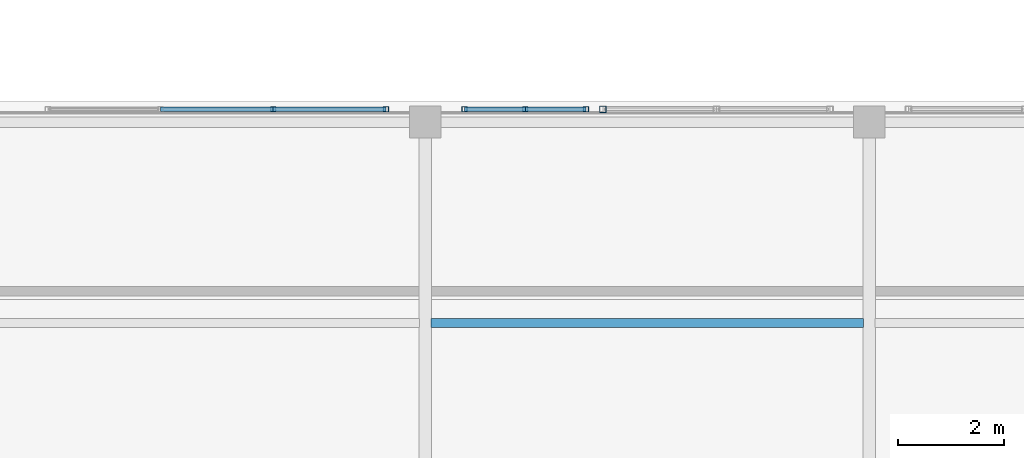
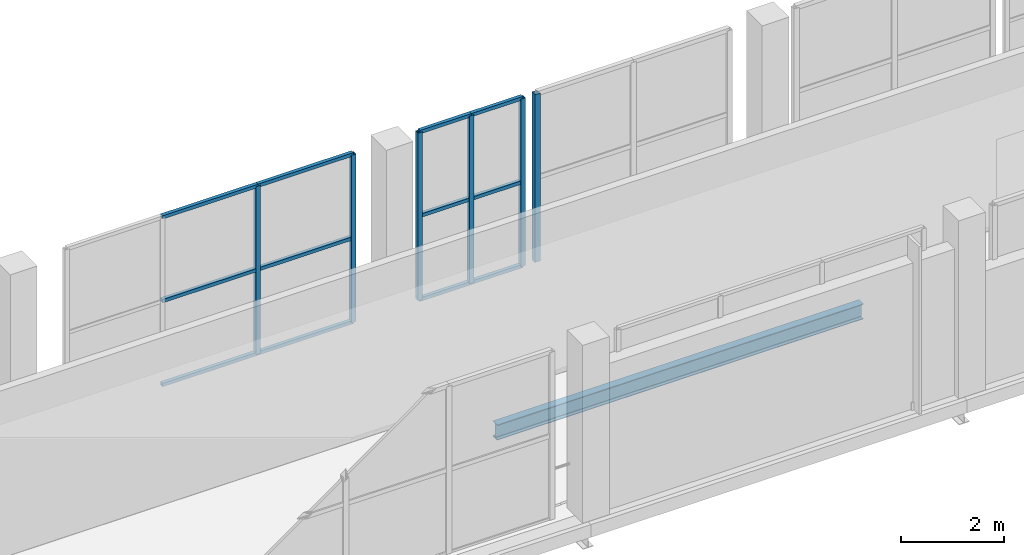
# One storey, part 45 of 151: 18 members, 1 beam, 3 elements without a shape of their own.
"""IFC4 building model written with IfcOpenShell, lengths in metres."""

from ifc_helpers import new_model, si_unit, direction, frame, origin, origin_2d, place, context, subcontext, project, spatial, hollow_rectangle, i_section, extrude, material, material_profile, profile_set, type_object, element, aggregate, save


model = new_model("IFC4")

# Units and contexts
model_context = context("Model", 3, precision=1e-05, world=origin(), true_north=direction((0.0, 1.0)))
body_context = subcontext(model_context, "Body", "Model", "MODEL_VIEW")
ifc_project = project(units=[si_unit("LENGTHUNIT", "METRE"), si_unit("AREAUNIT", "SQUARE_METRE"), si_unit("VOLUMEUNIT", "CUBIC_METRE"), si_unit("PLANEANGLEUNIT", "RADIAN"), si_unit("MASSUNIT", "GRAM", prefix="KILO")], contexts=[model_context])

# Site, building, storey
site_placement = place(None, origin())
site = spatial("IfcSite", under=ifc_project, at=site_placement, CompositionType="ELEMENT")
building_placement = place(site_placement, origin())
building = spatial("IfcBuilding", under=site, at=building_placement, Name="Zuvorla Pavilion Media Centre", CompositionType="ELEMENT")
storey_placement = place(building_placement, frame((0.0, 0.0, 13.800048828125)))
storey = spatial("IfcBuildingStorey", under=building, at=storey_placement, Name="L03", CompositionType="ELEMENT", Elevation=13.800048828125)

# Beam
ifc_material_1 = material(Name="Steel S355", Category="steel")
ifc_material_profile_1 = material_profile(ifc_material_1, i_section(OverallWidth=0.172119140625, OverallDepth=0.35791015625, WebThickness=0.008056640625, FlangeThickness=0.012939453125, FilletRadius=0.01025390625, at=origin_2d()), Name="UB 356x171x57")
ifc_profile_set_1 = profile_set([ifc_material_profile_1], Name="Steel S355")
beam_type = type_object("IfcBeamType", Name="BM-UB356", PredefinedType="JOIST", material=ifc_profile_set_1)
beam_placement = place(storey_placement, frame((108.909423828125, 47.800048828125, -0.43701171875), z_axis=(1.0, 0.0, 0.0), x_axis=(0.0, 1.0, 0.0)))
element("IfcBeam", 1, at=beam_placement, inside=storey, type_object=beam_type, Name="L03 joist J03 1277", PredefinedType="JOIST", context=body_context, shape_type="SweptSolid", body=[
    extrude(i_section(OverallWidth=0.172119140625, OverallDepth=0.35791015625, WebThickness=0.008056640625, FlangeThickness=0.012939453125, FilletRadius=0.01025390625, at=origin_2d()), origin(), (0.0, 0.0, 1.0), 8.18115234375),
])

# Curtain wall, members
ifc_material_2 = material(Name="Unitised anodised aluminium and solar glass curtain wall", Category="aluminium")
curtain_wall_type_1 = type_object("IfcCurtainWallType", Name="CW-SYS-77", PredefinedType="USERDEFINED", material=ifc_material_2)
curtain_wall_1_placement = place(storey_placement, origin())
curtain_wall_1 = element("IfcCurtainWall", 2, at=curtain_wall_1_placement, inside=storey, type_object=curtain_wall_type_1, Name="L03 curtain wall CW77 170", ObjectType="CURTAIN WALL", PredefinedType="USERDEFINED")
ifc_material_3 = material(Name="Anodised aluminium 6063-T6", Category="aluminium")
ifc_material_profile_2 = material_profile(ifc_material_3, hollow_rectangle(XDim=0.10009765625, YDim=0.10009765625, WallThickness=0.00439453125, at=origin_2d()), Name="ALU MULL 100x100")
ifc_profile_set_2 = profile_set([ifc_material_profile_2], Name="Anodised aluminium 6063-T6")
member_type_1 = type_object("IfcMemberType", Name="CW-MULL-100", PredefinedType="MULLION", material=ifc_profile_set_2)
member_1_placement = place(storey_placement, frame((105.923828125, 51.840087890625, 0.0), z_axis=(0.0, 0.0, 1.0), x_axis=(1.0, 0.0, 0.0)))
member_1 = element("IfcMember", 3, at=member_1_placement, type_object=member_type_1, Name="CW77 mullion 3", PredefinedType="MULLION", context=body_context, shape_type="SweptSolid", body=[
    extrude(hollow_rectangle(XDim=0.10009765625, YDim=0.10009765625, WallThickness=0.00439453125, at=origin_2d()), origin(), (0.0, 0.0, 1.0), 3.9599609375),
])
member_2_placement = place(storey_placement, frame((108.0556640625, 51.840087890625, 0.0), z_axis=(0.0, 0.0, 1.0), x_axis=(1.0, 0.0, 0.0)))
member_2 = element("IfcMember", 4, at=member_2_placement, type_object=member_type_1, Name="CW77 mullion 4", PredefinedType="MULLION", context=body_context, shape_type="SweptSolid", body=[
    extrude(hollow_rectangle(XDim=0.10009765625, YDim=0.10009765625, WallThickness=0.00439453125, at=origin_2d()), origin(), (0.0, 0.0, 1.0), 3.9599609375),
])

curtain_wall_type_2 = type_object("IfcCurtainWallType", Name="CW-SYS-76", PredefinedType="USERDEFINED", material=ifc_material_2)
curtain_wall_2_placement = place(storey_placement, origin())
curtain_wall_2 = element("IfcCurtainWall", 5, at=curtain_wall_2_placement, inside=storey, type_object=curtain_wall_type_2, Name="L03 curtain wall CW76 171", ObjectType="CURTAIN WALL", PredefinedType="USERDEFINED")
member_3_placement = place(storey_placement, frame((109.544189453125, 51.840087890625, 0.0), z_axis=(0.0, 0.0, 1.0), x_axis=(1.0, 0.0, 0.0)))
member_3 = element("IfcMember", 6, at=member_3_placement, type_object=member_type_1, Name="CW76 mullion 1", PredefinedType="MULLION", context=body_context, shape_type="SweptSolid", body=[
    extrude(hollow_rectangle(XDim=0.10009765625, YDim=0.10009765625, WallThickness=0.00439453125, at=origin_2d()), origin(), (0.0, 0.0, 1.0), 3.9599609375),
])
member_4_placement = place(storey_placement, frame((110.692138671875, 51.840087890625, 0.0), z_axis=(0.0, 0.0, 1.0), x_axis=(1.0, 0.0, 0.0)))
member_4 = element("IfcMember", 7, at=member_4_placement, type_object=member_type_1, Name="CW76 mullion 2", PredefinedType="MULLION", context=body_context, shape_type="SweptSolid", body=[
    extrude(hollow_rectangle(XDim=0.10009765625, YDim=0.10009765625, WallThickness=0.00439453125, at=origin_2d()), origin(), (0.0, 0.0, 1.0), 3.9599609375),
])
member_5_placement = place(storey_placement, frame((111.840087890625, 51.840087890625, 0.0), z_axis=(0.0, 0.0, 1.0), x_axis=(1.0, 0.0, 0.0)))
member_5 = element("IfcMember", 8, at=member_5_placement, type_object=member_type_1, Name="CW76 mullion 3", PredefinedType="MULLION", context=body_context, shape_type="SweptSolid", body=[
    extrude(hollow_rectangle(XDim=0.10009765625, YDim=0.10009765625, WallThickness=0.00439453125, at=origin_2d()), origin(), (0.0, 0.0, 1.0), 3.9599609375),
])

# Curtain wall, member
curtain_wall_type_3 = type_object("IfcCurtainWallType", Name="CW-SYS-42", PredefinedType="USERDEFINED", material=ifc_material_2)
curtain_wall_3_placement = place(storey_placement, origin())
curtain_wall_3 = element("IfcCurtainWall", 9, at=curtain_wall_3_placement, inside=storey, type_object=curtain_wall_type_3, Name="L03 curtain wall CW42 174", ObjectType="CURTAIN WALL", PredefinedType="USERDEFINED")
ifc_material_profile_3 = material_profile(ifc_material_3, hollow_rectangle(XDim=0.1201171875, YDim=0.1201171875, WallThickness=0.0048828125, at=origin_2d()), Name="ALU MULL 120x120")
ifc_profile_set_3 = profile_set([ifc_material_profile_3], Name="Anodised aluminium 6063-T6")
member_type_2 = type_object("IfcMemberType", Name="CW-MULL-120", PredefinedType="MULLION", material=ifc_profile_set_3)
member_6_placement = place(storey_placement, frame((112.159912109375, 51.840087890625, 0.0), z_axis=(0.0, 0.0, 1.0), x_axis=(1.0, 0.0, 0.0)))
member_6 = element("IfcMember", 10, at=member_6_placement, type_object=member_type_2, Name="CW42 mullion 1", PredefinedType="MULLION", context=body_context, shape_type="SweptSolid", body=[
    extrude(hollow_rectangle(XDim=0.1201171875, YDim=0.1201171875, WallThickness=0.0048828125, at=origin_2d()), origin(), (0.0, 0.0, 1.0), 3.9599609375),
])
aggregate(curtain_wall_3, [member_6])

# Member
ifc_material_profile_4 = material_profile(ifc_material_3, hollow_rectangle(XDim=0.080078125, YDim=0.080078125, WallThickness=0.00390625, at=origin_2d()), Name="ALU TRAN 80x80")
ifc_profile_set_4 = profile_set([ifc_material_profile_4], Name="Anodised aluminium 6063-T6")
member_type_3 = type_object("IfcMemberType", Name="CW-TRAN-80", PredefinedType="USERDEFINED", material=ifc_profile_set_4)
member_7_placement = place(storey_placement, frame((103.7919921875, 51.840087890625, 0.0), z_axis=(1.0, 0.0, 0.0), x_axis=(0.0, 1.0, 0.0)))
member_7 = element("IfcMember", 11, at=member_7_placement, type_object=member_type_3, Name="CW77 transom 2.1", ObjectType="TRANSOM", PredefinedType="USERDEFINED", context=body_context, shape_type="SweptSolid", body=[
    extrude(hollow_rectangle(XDim=0.080078125, YDim=0.080078125, WallThickness=0.00390625, at=origin_2d()), origin(), (0.0, 0.0, 1.0), 2.1318359375),
])

member_8_placement = place(storey_placement, frame((103.7919921875, 51.840087890625, 1.97998046875), z_axis=(1.0, 0.0, 0.0), x_axis=(0.0, 1.0, 0.0)))
member_8 = element("IfcMember", 12, at=member_8_placement, type_object=member_type_3, Name="CW77 transom 2.2", ObjectType="TRANSOM", PredefinedType="USERDEFINED", context=body_context, shape_type="SweptSolid", body=[
    extrude(hollow_rectangle(XDim=0.080078125, YDim=0.080078125, WallThickness=0.00390625, at=origin_2d()), origin(), (0.0, 0.0, 1.0), 2.1318359375),
])

member_9_placement = place(storey_placement, frame((103.7919921875, 51.840087890625, 3.9599609375), z_axis=(1.0, 0.0, 0.0), x_axis=(0.0, 1.0, 0.0)))
member_9 = element("IfcMember", 13, at=member_9_placement, type_object=member_type_3, Name="CW77 transom 2.3", ObjectType="TRANSOM", PredefinedType="USERDEFINED", context=body_context, shape_type="SweptSolid", body=[
    extrude(hollow_rectangle(XDim=0.080078125, YDim=0.080078125, WallThickness=0.00390625, at=origin_2d()), origin(), (0.0, 0.0, 1.0), 2.1318359375),
])

member_10_placement = place(storey_placement, frame((105.923828125, 51.840087890625, 0.0), z_axis=(1.0, 0.0, 0.0), x_axis=(0.0, 1.0, 0.0)))
member_10 = element("IfcMember", 14, at=member_10_placement, type_object=member_type_3, Name="CW77 transom 3.1", ObjectType="TRANSOM", PredefinedType="USERDEFINED", context=body_context, shape_type="SweptSolid", body=[
    extrude(hollow_rectangle(XDim=0.080078125, YDim=0.080078125, WallThickness=0.00390625, at=origin_2d()), origin(), (0.0, 0.0, 1.0), 2.1318359375),
])

member_11_placement = place(storey_placement, frame((105.923828125, 51.840087890625, 1.97998046875), z_axis=(1.0, 0.0, 0.0), x_axis=(0.0, 1.0, 0.0)))
member_11 = element("IfcMember", 15, at=member_11_placement, type_object=member_type_3, Name="CW77 transom 3.2", ObjectType="TRANSOM", PredefinedType="USERDEFINED", context=body_context, shape_type="SweptSolid", body=[
    extrude(hollow_rectangle(XDim=0.080078125, YDim=0.080078125, WallThickness=0.00390625, at=origin_2d()), origin(), (0.0, 0.0, 1.0), 2.1318359375),
])

member_12_placement = place(storey_placement, frame((105.923828125, 51.840087890625, 3.9599609375), z_axis=(1.0, 0.0, 0.0), x_axis=(0.0, 1.0, 0.0)))
member_12 = element("IfcMember", 16, at=member_12_placement, type_object=member_type_3, Name="CW77 transom 3.3", ObjectType="TRANSOM", PredefinedType="USERDEFINED", context=body_context, shape_type="SweptSolid", body=[
    extrude(hollow_rectangle(XDim=0.080078125, YDim=0.080078125, WallThickness=0.00390625, at=origin_2d()), origin(), (0.0, 0.0, 1.0), 2.1318359375),
])

aggregate(curtain_wall_1, [member_1, member_2, member_7, member_8, member_9, member_10, member_11, member_12])

member_13_placement = place(storey_placement, frame((109.544189453125, 51.840087890625, 0.0), z_axis=(1.0, 0.0, 0.0), x_axis=(0.0, 1.0, 0.0)))
member_13 = element("IfcMember", 17, at=member_13_placement, type_object=member_type_3, Name="CW76 transom 1.1", ObjectType="TRANSOM", PredefinedType="USERDEFINED", context=body_context, shape_type="SweptSolid", body=[
    extrude(hollow_rectangle(XDim=0.080078125, YDim=0.080078125, WallThickness=0.00390625, at=origin_2d()), origin(), (0.0, 0.0, 1.0), 1.14794921875),
])

member_14_placement = place(storey_placement, frame((109.544189453125, 51.840087890625, 1.97998046875), z_axis=(1.0, 0.0, 0.0), x_axis=(0.0, 1.0, 0.0)))
member_14 = element("IfcMember", 18, at=member_14_placement, type_object=member_type_3, Name="CW76 transom 1.2", ObjectType="TRANSOM", PredefinedType="USERDEFINED", context=body_context, shape_type="SweptSolid", body=[
    extrude(hollow_rectangle(XDim=0.080078125, YDim=0.080078125, WallThickness=0.00390625, at=origin_2d()), origin(), (0.0, 0.0, 1.0), 1.14794921875),
])

member_15_placement = place(storey_placement, frame((109.544189453125, 51.840087890625, 3.9599609375), z_axis=(1.0, 0.0, 0.0), x_axis=(0.0, 1.0, 0.0)))
member_15 = element("IfcMember", 19, at=member_15_placement, type_object=member_type_3, Name="CW76 transom 1.3", ObjectType="TRANSOM", PredefinedType="USERDEFINED", context=body_context, shape_type="SweptSolid", body=[
    extrude(hollow_rectangle(XDim=0.080078125, YDim=0.080078125, WallThickness=0.00390625, at=origin_2d()), origin(), (0.0, 0.0, 1.0), 1.14794921875),
])

member_16_placement = place(storey_placement, frame((110.692138671875, 51.840087890625, 0.0), z_axis=(1.0, 0.0, 0.0), x_axis=(0.0, 1.0, 0.0)))
member_16 = element("IfcMember", 20, at=member_16_placement, type_object=member_type_3, Name="CW76 transom 2.1", ObjectType="TRANSOM", PredefinedType="USERDEFINED", context=body_context, shape_type="SweptSolid", body=[
    extrude(hollow_rectangle(XDim=0.080078125, YDim=0.080078125, WallThickness=0.00390625, at=origin_2d()), origin(), (0.0, 0.0, 1.0), 1.14794921875),
])

member_17_placement = place(storey_placement, frame((110.692138671875, 51.840087890625, 1.97998046875), z_axis=(1.0, 0.0, 0.0), x_axis=(0.0, 1.0, 0.0)))
member_17 = element("IfcMember", 21, at=member_17_placement, type_object=member_type_3, Name="CW76 transom 2.2", ObjectType="TRANSOM", PredefinedType="USERDEFINED", context=body_context, shape_type="SweptSolid", body=[
    extrude(hollow_rectangle(XDim=0.080078125, YDim=0.080078125, WallThickness=0.00390625, at=origin_2d()), origin(), (0.0, 0.0, 1.0), 1.14794921875),
])

member_18_placement = place(storey_placement, frame((110.692138671875, 51.840087890625, 3.9599609375), z_axis=(1.0, 0.0, 0.0), x_axis=(0.0, 1.0, 0.0)))
member_18 = element("IfcMember", 22, at=member_18_placement, type_object=member_type_3, Name="CW76 transom 2.3", ObjectType="TRANSOM", PredefinedType="USERDEFINED", context=body_context, shape_type="SweptSolid", body=[
    extrude(hollow_rectangle(XDim=0.080078125, YDim=0.080078125, WallThickness=0.00390625, at=origin_2d()), origin(), (0.0, 0.0, 1.0), 1.14794921875),
])

aggregate(curtain_wall_2, [member_3, member_4, member_5, member_13, member_14, member_15, member_16, member_17, member_18])

save(model, "model.ifc")
